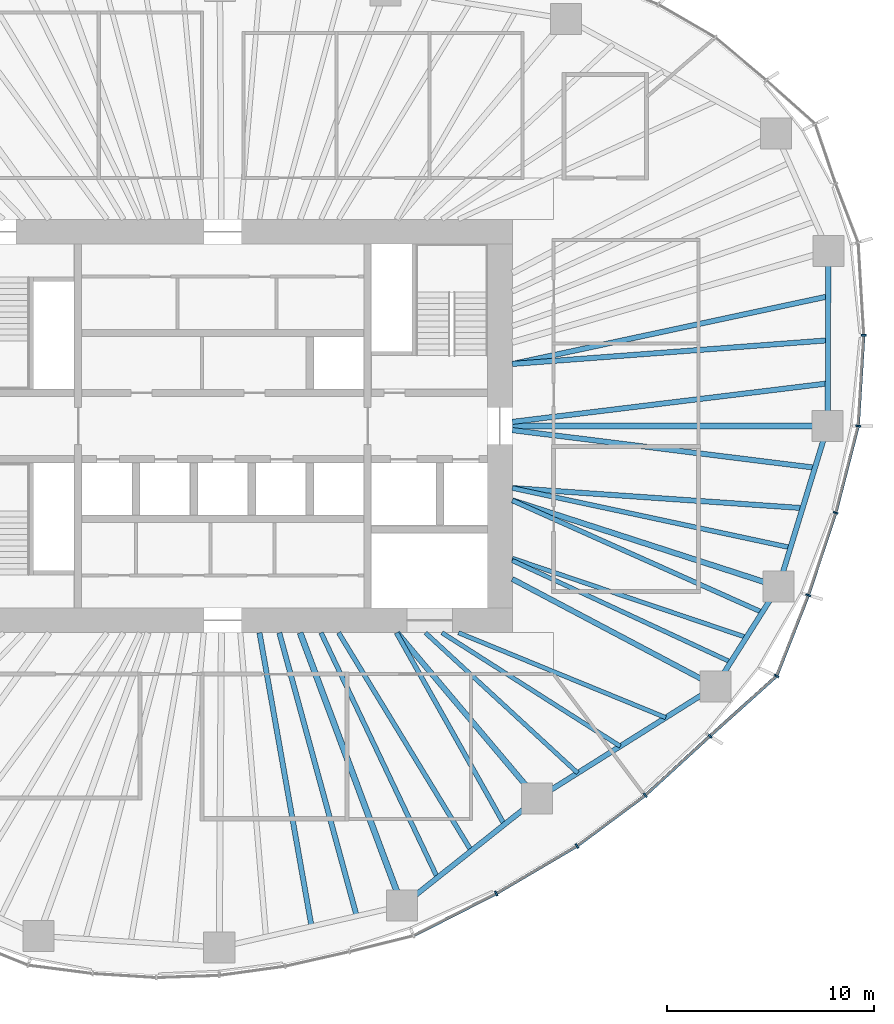
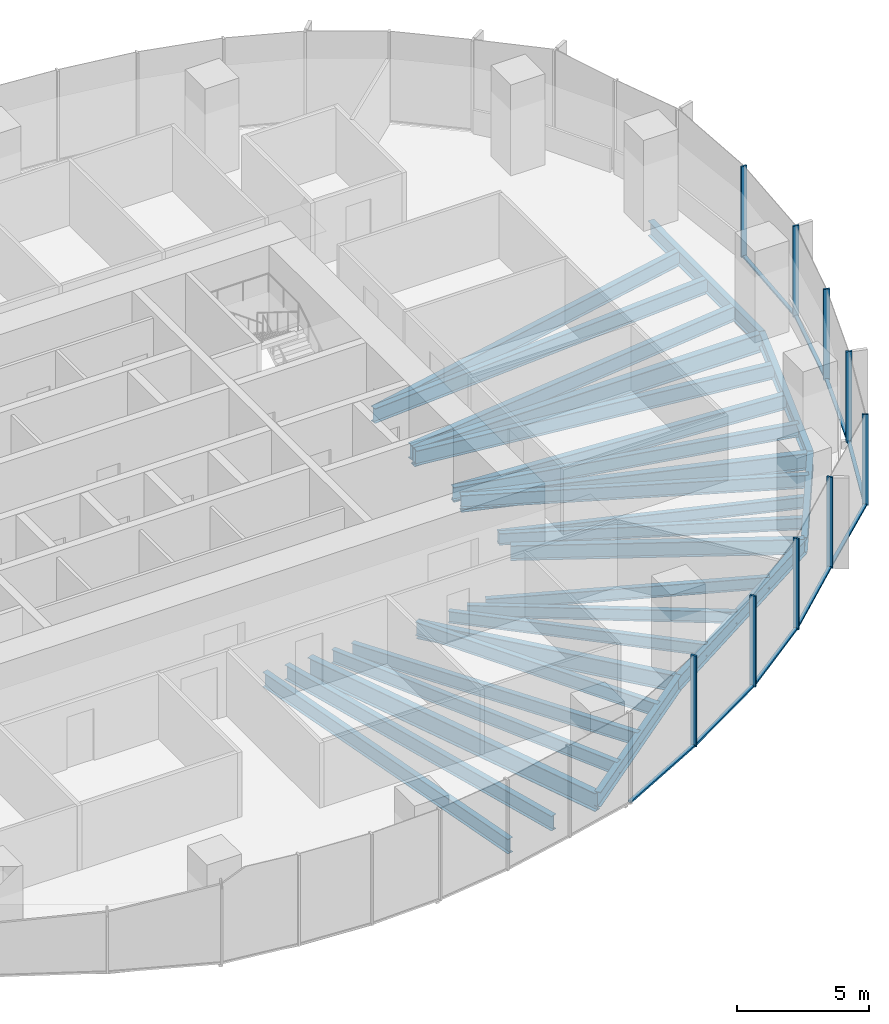
# One storey, part 4 of 18: 27 beams, 18 members, 5 elements without a shape of their own.
"""IFC4 building model written with IfcOpenShell, lengths in metres."""

from ifc_helpers import new_model, si_unit, direction, frame, origin, origin_2d, place, context, subcontext, project, spatial, rectangle, i_section, extrude, material, material_profile, profile_set, type_object, element, aggregate, save


model = new_model("IFC4")

# Units and contexts
model_context = context("Model", 3, precision=1e-05, world=origin(), true_north=direction((0.0, 1.0)))
body_context = subcontext(model_context, "Body", "Model", "MODEL_VIEW")
ifc_project = project(units=[si_unit("LENGTHUNIT", "METRE"), si_unit("AREAUNIT", "SQUARE_METRE"), si_unit("VOLUMEUNIT", "CUBIC_METRE"), si_unit("PLANEANGLEUNIT", "RADIAN"), si_unit("MASSUNIT", "GRAM", prefix="KILO")], contexts=[model_context])

# Site, building, storey
site_placement = place(None, origin())
site = spatial("IfcSite", under=ifc_project, at=site_placement, CompositionType="ELEMENT")
building_placement = place(site_placement, origin())
building = spatial("IfcBuilding", under=site, at=building_placement, Name="Ghaith Harvest Tower", CompositionType="ELEMENT")
storey_placement = place(building_placement, frame((0.0, 0.0, 117.60009765625)))
storey = spatial("IfcBuildingStorey", under=building, at=storey_placement, Name="L24", CompositionType="ELEMENT", Elevation=117.60009765625)

# Curtain wall, members
ifc_material_1 = material(Name="Black anodised aluminium and fritted glass", Category="aluminium")
curtain_wall_type = type_object("IfcCurtainWallType", Name="CW-L CURTAIN WALL", PredefinedType="NOTDEFINED", material=ifc_material_1)
curtain_wall_1_placement = place(storey_placement, origin())
curtain_wall_1 = element("IfcCurtainWall", 1, at=curtain_wall_1_placement, inside=storey, type_object=curtain_wall_type, Name="Curtain wall CW-L bay 01 L24", PredefinedType="NOTDEFINED")
ifc_material_2 = material(Name="Aluminium, black anodised", Category="aluminium")
ifc_material_profile_1 = material_profile(ifc_material_2, rectangle(XDim=0.080078125, YDim=0.239990234375, at=origin_2d()), Name="CW-L MULLION 80x240")
ifc_profile_set_1 = profile_set([ifc_material_profile_1], Name="Aluminium, black anodised")
member_type_1 = type_object("IfcMemberType", Name="CW-L MULLION 80x240", PredefinedType="MULLION", material=ifc_profile_set_1)
member_1_placement = place(storey_placement, frame((30.728759765625, 0.0, 0.0), z_axis=(0.0, 0.0, 1.0), x_axis=(0.155597142981, 0.987820595602, 0.0)))
member_1 = element("IfcMember", 2, at=member_1_placement, type_object=member_type_1, Name="CW-L mullion 1 bay 01 L24", PredefinedType="MULLION", context=body_context, shape_type="SweptSolid", body=[
    extrude(rectangle(XDim=0.080078125, YDim=0.239990234375, at=origin_2d()), origin(), (0.0, 0.0, 1.0), 4.199951171875),
])
member_2_placement = place(storey_placement, frame((30.998779296875, 4.389892578125, 0.0), z_axis=(0.0, 0.0, 1.0), x_axis=(-0.000162467394, 0.999999986802, 0.0)))
member_2 = element("IfcMember", 3, at=member_2_placement, type_object=member_type_1, Name="CW-L mullion 2 bay 01 L24", PredefinedType="MULLION", context=body_context, shape_type="SweptSolid", body=[
    extrude(rectangle(XDim=0.080078125, YDim=0.239990234375, at=origin_2d()), origin(), (0.0, 0.0, 1.0), 4.199951171875),
])

# Curtain wall, member
curtain_wall_2_placement = place(storey_placement, origin())
curtain_wall_2 = element("IfcCurtainWall", 4, at=curtain_wall_2_placement, inside=storey, type_object=curtain_wall_type, Name="Curtain wall CW-L bay 17 L24", PredefinedType="NOTDEFINED")
member_3_placement = place(storey_placement, frame((13.224365234375, -22.614013671875, 0.0), z_axis=(0.0, 0.0, 1.0), x_axis=(0.876898762173, 0.480675109507, 0.0)))
member_3 = element("IfcMember", 5, at=member_3_placement, type_object=member_type_1, Name="CW-L mullion 2 bay 17 L24", PredefinedType="MULLION", context=body_context, shape_type="SweptSolid", body=[
    extrude(rectangle(XDim=0.080078125, YDim=0.239990234375, at=origin_2d()), origin(), (0.0, 0.0, 1.0), 4.199951171875),
])

# Curtain wall, members
curtain_wall_3_placement = place(storey_placement, origin())
curtain_wall_3 = element("IfcCurtainWall", 6, at=curtain_wall_3_placement, inside=storey, type_object=curtain_wall_type, Name="Curtain wall CW-L bay 18 L24", PredefinedType="NOTDEFINED")
member_4_placement = place(storey_placement, frame((17.1318359375, -20.31591796875, 0.0), z_axis=(0.0, 0.0, 1.0), x_axis=(0.834887453241, 0.550420694035, 0.0)))
member_4 = element("IfcMember", 7, at=member_4_placement, type_object=member_type_1, Name="CW-L mullion 1 bay 18 L24", PredefinedType="MULLION", context=body_context, shape_type="SweptSolid", body=[
    extrude(rectangle(XDim=0.080078125, YDim=0.239990234375, at=origin_2d()), origin(), (0.0, 0.0, 1.0), 4.199951171875),
])
member_5_placement = place(storey_placement, frame((20.4296875, -17.86376953125, 0.0), z_axis=(0.0, 0.0, 1.0), x_axis=(0.770306399656, 0.637673937564, 0.0)))
member_5 = element("IfcMember", 8, at=member_5_placement, type_object=member_type_1, Name="CW-L mullion 2 bay 18 L24", PredefinedType="MULLION", context=body_context, shape_type="SweptSolid", body=[
    extrude(rectangle(XDim=0.080078125, YDim=0.239990234375, at=origin_2d()), origin(), (0.0, 0.0, 1.0), 4.199951171875),
])

curtain_wall_4_placement = place(storey_placement, origin())
curtain_wall_4 = element("IfcCurtainWall", 9, at=curtain_wall_4_placement, inside=storey, type_object=curtain_wall_type, Name="Curtain wall CW-L bay 19 L24", PredefinedType="NOTDEFINED")
member_6_placement = place(storey_placement, frame((23.560546875, -14.994140625, 0.0), z_axis=(0.0, 0.0, 1.0), x_axis=(0.740389054945, 0.672178582906, 0.0)))
member_6 = element("IfcMember", 10, at=member_6_placement, type_object=member_type_1, Name="CW-L mullion 1 bay 19 L24", PredefinedType="MULLION", context=body_context, shape_type="SweptSolid", body=[
    extrude(rectangle(XDim=0.080078125, YDim=0.239990234375, at=origin_2d()), origin(), (0.0, 0.0, 1.0), 4.199951171875),
])
member_7_placement = place(storey_placement, frame((26.786376953125, -12.0927734375, 0.0), z_axis=(0.0, 0.0, 1.0), x_axis=(0.572853476908, 0.819657790785, 0.0)))
member_7 = element("IfcMember", 11, at=member_7_placement, type_object=member_type_1, Name="CW-L mullion 2 bay 19 L24", PredefinedType="MULLION", context=body_context, shape_type="SweptSolid", body=[
    extrude(rectangle(XDim=0.080078125, YDim=0.239990234375, at=origin_2d()), origin(), (0.0, 0.0, 1.0), 4.199951171875),
])

curtain_wall_5_placement = place(storey_placement, origin())
curtain_wall_5 = element("IfcCurtainWall", 12, at=curtain_wall_5_placement, inside=storey, type_object=curtain_wall_type, Name="Curtain wall CW-L bay 20 L24", PredefinedType="NOTDEFINED")
member_8_placement = place(storey_placement, frame((28.319580078125, -8.184814453125, 0.0), z_axis=(0.0, 0.0, 1.0), x_axis=(0.34057402484, 0.94021770543, 0.0)))
member_8 = element("IfcMember", 13, at=member_8_placement, type_object=member_type_1, Name="CW-L mullion 1 bay 20 L24", PredefinedType="MULLION", context=body_context, shape_type="SweptSolid", body=[
    extrude(rectangle(XDim=0.080078125, YDim=0.239990234375, at=origin_2d()), origin(), (0.0, 0.0, 1.0), 4.199951171875),
])
member_9_placement = place(storey_placement, frame((29.64599609375, -4.1982421875, 0.0), z_axis=(0.0, 0.0, 1.0), x_axis=(0.282375140161, 0.959304060358, 0.0)))
member_9 = element("IfcMember", 14, at=member_9_placement, type_object=member_type_1, Name="CW-L mullion 2 bay 20 L24", PredefinedType="MULLION", context=body_context, shape_type="SweptSolid", body=[
    extrude(rectangle(XDim=0.080078125, YDim=0.239990234375, at=origin_2d()), origin(), (0.0, 0.0, 1.0), 4.199951171875),
])

# Member
ifc_material_3 = material(Name="Aluminium, black anodised", Category="aluminium")
ifc_material_profile_2 = material_profile(ifc_material_3, rectangle(XDim=0.14990234375, YDim=0.080078125, at=origin_2d()), Name="CW-L TRANSOM 150x80")
ifc_profile_set_2 = profile_set([ifc_material_profile_2], Name="Aluminium, black anodised")
member_type_2 = type_object("IfcMemberType", Name="CW-L TRANSOM 150x80", PredefinedType="USERDEFINED", material=ifc_profile_set_2)
member_10_placement = place(storey_placement, frame((30.731201171875, 0.0400390625, 0.039794921875), z_axis=(0.061403204251, 0.99811304295, 0.0), x_axis=(-0.99811304295, 0.061403204251, 0.0)))
member_10 = element("IfcMember", 15, at=member_10_placement, type_object=member_type_2, Name="CW-L transom 1 bay 01 L24", ObjectType="TRANSOM", PredefinedType="USERDEFINED", context=body_context, shape_type="SweptSolid", body=[
    extrude(rectangle(XDim=0.14990234375, YDim=0.080078125, at=origin_2d()), origin(), (0.0, 0.0, 1.0), 4.31787109375),
])

aggregate(curtain_wall_1, [member_1, member_10, member_2])

member_11_placement = place(storey_placement, frame((9.25244140625, -24.636474609375, 0.039794921875), z_axis=(0.891120044719, 0.453767634258, 0.0), x_axis=(-0.453767634258, 0.891120044719, 0.0)))
member_11 = element("IfcMember", 16, at=member_11_placement, type_object=member_type_2, Name="CW-L transom 1 bay 17 L24", ObjectType="TRANSOM", PredefinedType="USERDEFINED", context=body_context, shape_type="SweptSolid", body=[
    extrude(rectangle(XDim=0.14990234375, YDim=0.080078125, at=origin_2d()), origin(), (0.0, 0.0, 1.0), 4.417236328125),
])

member_12_placement = place(storey_placement, frame((13.259033203125, -22.59375, 0.039794921875), z_axis=(0.86196381091, 0.506969810424, 0.0), x_axis=(-0.506969810424, 0.86196381091, 0.0)))
member_12 = element("IfcMember", 17, at=member_12_placement, type_object=member_type_2, Name="CW-L transom 2 bay 17 L24", ObjectType="TRANSOM", PredefinedType="USERDEFINED", context=body_context, shape_type="SweptSolid", body=[
    extrude(rectangle(XDim=0.14990234375, YDim=0.080078125, at=origin_2d()), origin(), (0.0, 0.0, 1.0), 4.453125),
])

aggregate(curtain_wall_2, [member_11, member_3, member_12])

member_13_placement = place(storey_placement, frame((17.1640625, -20.2919921875, 0.039794921875), z_axis=(0.802465316609, 0.59669876457, 0.0), x_axis=(-0.59669876457, 0.802465316609, 0.0)))
member_13 = element("IfcMember", 18, at=member_13_placement, type_object=member_type_2, Name="CW-L transom 1 bay 18 L24", ObjectType="TRANSOM", PredefinedType="USERDEFINED", context=body_context, shape_type="SweptSolid", body=[
    extrude(rectangle(XDim=0.14990234375, YDim=0.080078125, at=origin_2d()), origin(), (0.0, 0.0, 1.0), 4.029296875),
])

member_14_placement = place(storey_placement, frame((20.459228515625, -17.836669921875, 0.039794921875), z_axis=(0.737197916434, 0.675676869521, 0.0), x_axis=(-0.675676869521, 0.737197916434, 0.0)))
member_14 = element("IfcMember", 19, at=member_14_placement, type_object=member_type_2, Name="CW-L transom 2 bay 18 L24", ObjectType="TRANSOM", PredefinedType="USERDEFINED", context=body_context, shape_type="SweptSolid", body=[
    extrude(rectangle(XDim=0.14990234375, YDim=0.080078125, at=origin_2d()), origin(), (0.0, 0.0, 1.0), 4.166748046875),
])

aggregate(curtain_wall_3, [member_4, member_13, member_5, member_14])

member_15_placement = place(storey_placement, frame((23.59033203125, -14.967529296875, 0.039794921875), z_axis=(0.74346800111, 0.668771509056, 0.0), x_axis=(-0.668771509056, 0.74346800111, 0.0)))
member_15 = element("IfcMember", 20, at=member_15_placement, type_object=member_type_2, Name="CW-L transom 1 bay 19 L24", ObjectType="TRANSOM", PredefinedType="USERDEFINED", context=body_context, shape_type="SweptSolid", body=[
    extrude(rectangle(XDim=0.14990234375, YDim=0.080078125, at=origin_2d()), origin(), (0.0, 0.0, 1.0), 4.2587890625),
])

member_16_placement = place(storey_placement, frame((26.801025390625, -12.055419921875, 0.039794921875), z_axis=(0.365228588652, 0.930917868575, 0.0), x_axis=(-0.930917868575, 0.365228588652, 0.0)))
member_16 = element("IfcMember", 21, at=member_16_placement, type_object=member_type_2, Name="CW-L transom 2 bay 19 L24", ObjectType="TRANSOM", PredefinedType="USERDEFINED", context=body_context, shape_type="SweptSolid", body=[
    extrude(rectangle(XDim=0.14990234375, YDim=0.080078125, at=origin_2d()), origin(), (0.0, 0.0, 1.0), 4.11767578125),
])

aggregate(curtain_wall_4, [member_6, member_15, member_7, member_16])

member_17_placement = place(storey_placement, frame((28.33203125, -8.14697265625, 0.039794921875), z_axis=(0.315712391444, 0.948854934059, 0.0), x_axis=(-0.948854934059, 0.315712391444, 0.0)))
member_17 = element("IfcMember", 22, at=member_17_placement, type_object=member_type_2, Name="CW-L transom 1 bay 20 L24", ObjectType="TRANSOM", PredefinedType="USERDEFINED", context=body_context, shape_type="SweptSolid", body=[
    extrude(rectangle(XDim=0.14990234375, YDim=0.080078125, at=origin_2d()), origin(), (0.0, 0.0, 1.0), 4.12158203125),
])

member_18_placement = place(storey_placement, frame((29.656005859375, -4.159423828125, 0.039794921875), z_axis=(0.249737470584, 0.968313583395, 0.0), x_axis=(-0.968313583395, 0.249737470584, 0.0)))
member_18 = element("IfcMember", 23, at=member_18_placement, type_object=member_type_2, Name="CW-L transom 2 bay 20 L24", ObjectType="TRANSOM", PredefinedType="USERDEFINED", context=body_context, shape_type="SweptSolid", body=[
    extrude(rectangle(XDim=0.14990234375, YDim=0.080078125, at=origin_2d()), origin(), (0.0, 0.0, 1.0), 4.25537109375),
])

aggregate(curtain_wall_5, [member_8, member_17, member_9, member_18])

# Beams
ifc_material_4 = material(Name="Steel ASTM A992 Grade 50", Category="steel")
ifc_material_profile_3 = material_profile(ifc_material_4, i_section(OverallWidth=0.25390625, OverallDepth=0.68408203125, WebThickness=0.012451171875, FlangeThickness=0.018798828125, at=origin_2d()), Name="W690X140")
ifc_profile_set_3 = profile_set([ifc_material_profile_3], Name="Steel ASTM A992 Grade 50")
beam_type_1 = type_object("IfcBeamType", Name="E690-140 W690X140", PredefinedType="SPANDREL", material=ifc_profile_set_3)
beam_1_placement = place(storey_placement, frame((29.259033203125, 0.0, -0.51220703125), z_axis=(0.003172847394, 0.999994966507, 0.0), x_axis=(-0.999994966507, 0.003172847394, 0.0)))
element("IfcBeam", 24, at=beam_1_placement, inside=storey, type_object=beam_type_1, Name="Edge beam E01 L24", PredefinedType="SPANDREL", context=body_context, shape_type="SweptSolid", body=[
    extrude(i_section(OverallWidth=0.25390625, OverallDepth=0.68408203125, WebThickness=0.012451171875, FlangeThickness=0.018798828125, at=origin_2d()), origin(), (0.0, 0.0, 1.0), 8.464111328125),
])
beam_2_placement = place(storey_placement, frame((8.674072265625, -23.202880859375, -0.51220703125), z_axis=(0.783159540917, 0.621820821033, 0.0), x_axis=(-0.621820821033, 0.783159540917, 0.0)))
element("IfcBeam", 25, at=beam_2_placement, inside=storey, type_object=beam_type_1, Name="Edge beam E17 L24", PredefinedType="SPANDREL", context=body_context, shape_type="SweptSolid", body=[
    extrude(i_section(OverallWidth=0.25390625, OverallDepth=0.68408203125, WebThickness=0.012451171875, FlangeThickness=0.018798828125, at=origin_2d()), origin(), (0.0, 0.0, 1.0), 8.330322265625),
])
beam_3_placement = place(storey_placement, frame((15.197998046875, -18.02294921875, -0.51220703125), z_axis=(0.846385185363, 0.532571232793, 0.0), x_axis=(-0.532571232793, 0.846385185363, 0.0)))
element("IfcBeam", 26, at=beam_3_placement, inside=storey, type_object=beam_type_1, Name="Edge beam E18 L24", PredefinedType="SPANDREL", context=body_context, shape_type="SweptSolid", body=[
    extrude(i_section(OverallWidth=0.25390625, OverallDepth=0.68408203125, WebThickness=0.012451171875, FlangeThickness=0.018798828125, at=origin_2d()), origin(), (0.0, 0.0, 1.0), 10.19384765625),
])
beam_4_placement = place(storey_placement, frame((23.825927734375, -12.593994140625, -0.51220703125), z_axis=(0.534499624093, 0.845168712059, 0.0), x_axis=(-0.845168712059, 0.534499624093, 0.0)))
element("IfcBeam", 27, at=beam_4_placement, inside=storey, type_object=beam_type_1, Name="Edge beam E19 L24", PredefinedType="SPANDREL", context=body_context, shape_type="SweptSolid", body=[
    extrude(i_section(OverallWidth=0.25390625, OverallDepth=0.68408203125, WebThickness=0.012451171875, FlangeThickness=0.018798828125, at=origin_2d()), origin(), (0.0, 0.0, 1.0), 5.7099609375),
])
beam_5_placement = place(storey_placement, frame((26.8779296875, -7.76806640625, -0.51220703125), z_axis=(0.293065809375, 0.956092271371, 0.0), x_axis=(-0.956092271371, 0.293065809375, 0.0)))
element("IfcBeam", 28, at=beam_5_placement, inside=storey, type_object=beam_type_1, Name="Edge beam E20 L24", PredefinedType="SPANDREL", context=body_context, shape_type="SweptSolid", body=[
    extrude(i_section(OverallWidth=0.25390625, OverallDepth=0.68408203125, WebThickness=0.012451171875, FlangeThickness=0.018798828125, at=origin_2d()), origin(), (0.0, 0.0, 1.0), 8.124755859375),
])
ifc_material_5 = material(Name="Steel ASTM A992 Grade 50", Category="steel")
ifc_material_profile_4 = material_profile(ifc_material_5, i_section(OverallWidth=0.256103515625, OverallDepth=0.693115234375, WebThickness=0.014404296875, FlangeThickness=0.023681640625, at=origin_2d()), Name="W690X170")
ifc_profile_set_4 = profile_set([ifc_material_profile_4], Name="Steel ASTM A992 Grade 50")
beam_type_2 = type_object("IfcBeamType", Name="G690-170 W690X170", PredefinedType="BEAM", material=ifc_profile_set_4)
beam_6_placement = place(storey_placement, frame((14.0, -7.39990234375, -0.5166015625), z_axis=(0.884080549082, -0.467334551189, 0.0), x_axis=(0.467334551189, 0.884080549082, 0.0)))
element("IfcBeam", 29, at=beam_6_placement, inside=storey, type_object=beam_type_2, Name="Radial girder G19 L24", PredefinedType="BEAM", context=body_context, shape_type="SweptSolid", body=[
    extrude(i_section(OverallWidth=0.256103515625, OverallDepth=0.693115234375, WebThickness=0.014404296875, FlangeThickness=0.023681640625, at=origin_2d()), origin(), (0.0, 0.0, 1.0), 11.1142578125),
])
ifc_material_6 = material(Name="Steel ASTM A992 Grade 50", Category="steel")
ifc_material_profile_5 = material_profile(ifc_material_6, i_section(OverallWidth=0.26806640625, OverallDepth=0.77001953125, WebThickness=0.015625, FlangeThickness=0.025390625, at=origin_2d()), Name="W760X196")
ifc_profile_set_5 = profile_set([ifc_material_profile_5], Name="Steel ASTM A992 Grade 50")
beam_type_3 = type_object("IfcBeamType", Name="G760-196 W760X196", PredefinedType="BEAM", material=ifc_profile_set_5)
beam_7_placement = place(storey_placement, frame((8.4326171875, -10.0, -0.55517578125), z_axis=(0.644649240595, -0.764478486682, 0.0), x_axis=(0.764478486682, 0.644649240595, 0.0)))
element("IfcBeam", 30, at=beam_7_placement, inside=storey, type_object=beam_type_3, Name="Radial girder G18 L24", PredefinedType="BEAM", context=body_context, shape_type="SweptSolid", body=[
    extrude(i_section(OverallWidth=0.26806640625, OverallDepth=0.77001953125, WebThickness=0.015625, FlangeThickness=0.025390625, at=origin_2d()), origin(), (0.0, 0.0, 1.0), 10.49462890625),
])
beam_8_placement = place(storey_placement, frame((14.0, -3.60009765625, -0.55517578125), z_axis=(0.951410331565, -0.307925934262, 0.0), x_axis=(0.307925934262, 0.951410331565, 0.0)))
element("IfcBeam", 31, at=beam_8_placement, inside=storey, type_object=beam_type_3, Name="Radial girder G20 L24", PredefinedType="BEAM", context=body_context, shape_type="SweptSolid", body=[
    extrude(i_section(OverallWidth=0.26806640625, OverallDepth=0.77001953125, WebThickness=0.015625, FlangeThickness=0.025390625, at=origin_2d()), origin(), (0.0, 0.0, 1.0), 13.53564453125),
])
ifc_material_7 = material(Name="Steel ASTM A992 Grade 50", Category="steel")
ifc_material_profile_6 = material_profile(ifc_material_7, i_section(OverallWidth=0.2939453125, OverallDepth=0.85107421875, WebThickness=0.01611328125, FlangeThickness=0.02685546875, at=origin_2d()), Name="W840X226")
ifc_profile_set_6 = profile_set([ifc_material_profile_6], Name="Steel ASTM A992 Grade 50")
beam_type_4 = type_object("IfcBeamType", Name="G840-226 W840X226", PredefinedType="BEAM", material=ifc_profile_set_6)
beam_9_placement = place(storey_placement, frame((14.0, 0.0, -0.595703125), z_axis=(1.0, 0.0, 0.0), x_axis=(0.0, 1.0, 0.0)))
element("IfcBeam", 32, at=beam_9_placement, inside=storey, type_object=beam_type_4, Name="Radial girder G01 L24", PredefinedType="BEAM", context=body_context, shape_type="SweptSolid", body=[
    extrude(i_section(OverallWidth=0.2939453125, OverallDepth=0.85107421875, WebThickness=0.01611328125, FlangeThickness=0.02685546875, at=origin_2d()), origin(), (0.0, 0.0, 1.0), 15.259033203125),
])
beam_10_placement = place(storey_placement, frame((3.73828125, -10.0, -0.595703125), z_axis=(0.350172283717, -0.936685310932, 0.0), x_axis=(0.936685310932, 0.350172283717, 0.0)))
element("IfcBeam", 33, at=beam_10_placement, inside=storey, type_object=beam_type_4, Name="Radial girder G17 L24", PredefinedType="BEAM", context=body_context, shape_type="SweptSolid", body=[
    extrude(i_section(OverallWidth=0.2939453125, OverallDepth=0.85107421875, WebThickness=0.01611328125, FlangeThickness=0.02685546875, at=origin_2d()), origin(), (0.0, 0.0, 1.0), 14.09521484375),
])
ifc_material_8 = material(Name="Steel ASTM A992 Grade 50", Category="steel")
ifc_material_profile_7 = material_profile(ifc_material_8, i_section(OverallWidth=0.2109375, OverallDepth=0.5390625, WebThickness=0.01171875, FlangeThickness=0.018798828125, at=origin_2d()), Name="W530X109")
ifc_profile_set_7 = profile_set([ifc_material_profile_7], Name="Steel ASTM A992 Grade 50")
beam_type_5 = type_object("IfcBeamType", Name="J530-109 W530X109", PredefinedType="JOIST", material=ifc_profile_set_7)
beam_11_placement = place(storey_placement, frame((9.800048828125, -10.0, -0.439697265625), z_axis=(0.735441512033, -0.677588210035, 0.0), x_axis=(0.677588210035, 0.735441512033, 0.0)))
element("IfcBeam", 34, at=beam_11_placement, inside=storey, type_object=beam_type_5, Name="Joist J18.1 L24", PredefinedType="JOIST", context=body_context, shape_type="SweptSolid", body=[
    extrude(i_section(OverallWidth=0.2109375, OverallDepth=0.5390625, WebThickness=0.01171875, FlangeThickness=0.018798828125, at=origin_2d()), origin(), (0.0, 0.0, 1.0), 10.01416015625),
])
beam_12_placement = place(storey_placement, frame((10.60009765625, -10.0, -0.439697265625), z_axis=(0.843584777848, -0.536996017288, 0.0), x_axis=(0.536996017288, 0.843584777848, 0.0)))
element("IfcBeam", 35, at=beam_12_placement, inside=storey, type_object=beam_type_5, Name="Joist J18.2 L24", PredefinedType="JOIST", context=body_context, shape_type="SweptSolid", body=[
    extrude(i_section(OverallWidth=0.2109375, OverallDepth=0.5390625, WebThickness=0.01171875, FlangeThickness=0.018798828125, at=origin_2d()), origin(), (0.0, 0.0, 1.0), 10.22314453125),
])
beam_13_placement = place(storey_placement, frame((11.39990234375, -10.0, -0.439697265625), z_axis=(0.925406878607, -0.378975077053, 0.0), x_axis=(0.378975077053, 0.925406878607, 0.0)))
element("IfcBeam", 36, at=beam_13_placement, inside=storey, type_object=beam_type_5, Name="Joist J18.3 L24", PredefinedType="JOIST", context=body_context, shape_type="SweptSolid", body=[
    extrude(i_section(OverallWidth=0.2109375, OverallDepth=0.5390625, WebThickness=0.01171875, FlangeThickness=0.018798828125, at=origin_2d()), origin(), (0.0, 0.0, 1.0), 10.83251953125),
])
beam_14_placement = place(storey_placement, frame((14.0, -6.506103515625, -0.439697265625), z_axis=(0.906863188232, -0.421425150922, 0.0), x_axis=(0.421425150922, 0.906863188232, 0.0)))
element("IfcBeam", 37, at=beam_14_placement, inside=storey, type_object=beam_type_5, Name="Joist J19.1 L24", PredefinedType="JOIST", context=body_context, shape_type="SweptSolid", body=[
    extrude(i_section(OverallWidth=0.2109375, OverallDepth=0.5390625, WebThickness=0.01171875, FlangeThickness=0.018798828125, at=origin_2d()), origin(), (0.0, 0.0, 1.0), 11.6552734375),
])
beam_15_placement = place(storey_placement, frame((14.0, -6.39990234375, -0.439697265625), z_axis=(0.947372072272, -0.320134591508, 0.0), x_axis=(0.320134591508, 0.947372072272, 0.0)))
element("IfcBeam", 38, at=beam_15_placement, inside=storey, type_object=beam_type_5, Name="Joist J19.2 L24", PredefinedType="JOIST", context=body_context, shape_type="SweptSolid", body=[
    extrude(i_section(OverallWidth=0.2109375, OverallDepth=0.5390625, WebThickness=0.01171875, FlangeThickness=0.018798828125, at=origin_2d()), origin(), (0.0, 0.0, 1.0), 11.95263671875),
])
ifc_material_9 = material(Name="Steel ASTM A992 Grade 50", Category="steel")
ifc_material_profile_8 = material_profile(ifc_material_9, i_section(OverallWidth=0.22900390625, OverallDepth=0.612060546875, WebThickness=0.011962890625, FlangeThickness=0.01953125, at=origin_2d()), Name="W610X125")
ifc_profile_set_8 = profile_set([ifc_material_profile_8], Name="Steel ASTM A992 Grade 50")
beam_type_6 = type_object("IfcBeamType", Name="J610-125 W610X125", PredefinedType="JOIST", material=ifc_profile_set_8)
beam_16_placement = place(storey_placement, frame((4.75, -10.0, -0.47607421875), z_axis=(0.429062888327, -0.903274619294, 0.0), x_axis=(0.903274619294, 0.429062888327, 0.0)))
element("IfcBeam", 39, at=beam_16_placement, inside=storey, type_object=beam_type_6, Name="Joist J17.1 L24", PredefinedType="JOIST", context=body_context, shape_type="SweptSolid", body=[
    extrude(i_section(OverallWidth=0.22900390625, OverallDepth=0.612060546875, WebThickness=0.011962890625, FlangeThickness=0.01953125, at=origin_2d()), origin(), (0.0, 0.0, 1.0), 13.118408203125),
])
beam_17_placement = place(storey_placement, frame((5.60009765625, -10.0, -0.47607421875), z_axis=(0.51969412955, -0.854352393167, 0.0), x_axis=(0.854352393167, 0.51969412955, 0.0)))
element("IfcBeam", 40, at=beam_17_placement, inside=storey, type_object=beam_type_6, Name="Joist J17.2 L24", PredefinedType="JOIST", context=body_context, shape_type="SweptSolid", body=[
    extrude(i_section(OverallWidth=0.22900390625, OverallDepth=0.612060546875, WebThickness=0.011962890625, FlangeThickness=0.01953125, at=origin_2d()), origin(), (0.0, 0.0, 1.0), 12.34716796875),
])
beam_18_placement = place(storey_placement, frame((8.39990234375, -10.0, -0.47607421875), z_axis=(0.489936713337, -0.871758003648, 0.0), x_axis=(0.871758003648, 0.489936713337, 0.0)))
element("IfcBeam", 41, at=beam_18_placement, inside=storey, type_object=beam_type_6, Name="Joist J17.3 L24", PredefinedType="JOIST", context=body_context, shape_type="SweptSolid", body=[
    extrude(i_section(OverallWidth=0.22900390625, OverallDepth=0.612060546875, WebThickness=0.011962890625, FlangeThickness=0.01953125, at=origin_2d()), origin(), (0.0, 0.0, 1.0), 10.64501953125),
])
beam_19_placement = place(storey_placement, frame((14.0, -3.60009765625, -0.47607421875), z_axis=(0.912738327266, -0.408544668231, 0.0), x_axis=(0.408544668231, 0.912738327266, 0.0)))
element("IfcBeam", 42, at=beam_19_placement, inside=storey, type_object=beam_type_6, Name="Joist J19.3 L24", PredefinedType="JOIST", context=body_context, shape_type="SweptSolid", body=[
    extrude(i_section(OverallWidth=0.22900390625, OverallDepth=0.612060546875, WebThickness=0.011962890625, FlangeThickness=0.01953125, at=origin_2d()), origin(), (0.0, 0.0, 1.0), 13.247314453125),
])
beam_20_placement = place(storey_placement, frame((14.0, -3.0, -0.47607421875), z_axis=(0.97783433664, -0.209380061343, 0.0), x_axis=(0.209380061343, 0.97783433664, 0.0)))
element("IfcBeam", 43, at=beam_20_placement, inside=storey, type_object=beam_type_6, Name="Joist J20.1 L24", PredefinedType="JOIST", context=body_context, shape_type="SweptSolid", body=[
    extrude(i_section(OverallWidth=0.22900390625, OverallDepth=0.612060546875, WebThickness=0.011962890625, FlangeThickness=0.01953125, at=origin_2d()), origin(), (0.0, 0.0, 1.0), 13.76123046875),
])
ifc_material_10 = material(Name="Steel ASTM A992 Grade 50", Category="steel")
ifc_material_profile_9 = material_profile(ifc_material_10, i_section(OverallWidth=0.25390625, OverallDepth=0.68408203125, WebThickness=0.012451171875, FlangeThickness=0.018798828125, at=origin_2d()), Name="W690X140")
ifc_profile_set_9 = profile_set([ifc_material_profile_9], Name="Steel ASTM A992 Grade 50")
beam_type_7 = type_object("IfcBeamType", Name="J690-140 W690X140", PredefinedType="JOIST", material=ifc_profile_set_9)
beam_21_placement = place(storey_placement, frame((14.0, 0.199951171875, -0.51220703125), z_axis=(0.992642759881, 0.121079937462, 0.0), x_axis=(-0.121079937462, 0.992642759881, 0.0)))
element("IfcBeam", 44, at=beam_21_placement, inside=storey, type_object=beam_type_7, Name="Joist J01.1 L24", PredefinedType="JOIST", context=body_context, shape_type="SweptSolid", body=[
    extrude(i_section(OverallWidth=0.25390625, OverallDepth=0.68408203125, WebThickness=0.012451171875, FlangeThickness=0.018798828125, at=origin_2d()), origin(), (0.0, 0.0, 1.0), 15.378662109375),
])
beam_22_placement = place(storey_placement, frame((14.0, 3.0, -0.51220703125), z_axis=(0.997200052902, 0.074780040735, 0.0), x_axis=(-0.074780040735, 0.997200052902, 0.0)))
element("IfcBeam", 45, at=beam_22_placement, inside=storey, type_object=beam_type_7, Name="Joist J01.2 L24", PredefinedType="JOIST", context=body_context, shape_type="SweptSolid", body=[
    extrude(i_section(OverallWidth=0.25390625, OverallDepth=0.68408203125, WebThickness=0.012451171875, FlangeThickness=0.018798828125, at=origin_2d()), origin(), (0.0, 0.0, 1.0), 15.315185546875),
])
beam_23_placement = place(storey_placement, frame((14.0, 3.0, -0.51220703125), z_axis=(0.977833271545, 0.209385035425, 0.0), x_axis=(-0.209385035425, 0.977833271545, 0.0)))
element("IfcBeam", 46, at=beam_23_placement, inside=storey, type_object=beam_type_7, Name="Joist J01.3 L24", PredefinedType="JOIST", context=body_context, shape_type="SweptSolid", body=[
    extrude(i_section(OverallWidth=0.25390625, OverallDepth=0.68408203125, WebThickness=0.012451171875, FlangeThickness=0.018798828125, at=origin_2d()), origin(), (0.0, 0.0, 1.0), 15.62548828125),
])
beam_24_placement = place(storey_placement, frame((1.772705078125, -10.0, -0.51220703125), z_axis=(0.174552818486, -0.98464781194, 0.0), x_axis=(0.98464781194, 0.174552818486, 0.0)))
element("IfcBeam", 47, at=beam_24_placement, inside=storey, type_object=beam_type_7, Name="Joist J16.2 L24", PredefinedType="JOIST", context=body_context, shape_type="SweptSolid", body=[
    extrude(i_section(OverallWidth=0.25390625, OverallDepth=0.68408203125, WebThickness=0.012451171875, FlangeThickness=0.018798828125, at=origin_2d()), origin(), (0.0, 0.0, 1.0), 14.42578125),
])
beam_25_placement = place(storey_placement, frame((2.73095703125, -10.0, -0.51220703125), z_axis=(0.263463446032, -0.964669379946, 0.0), x_axis=(0.964669379946, 0.263463446032, 0.0)))
element("IfcBeam", 48, at=beam_25_placement, inside=storey, type_object=beam_type_7, Name="Joist J16.3 L24", PredefinedType="JOIST", context=body_context, shape_type="SweptSolid", body=[
    extrude(i_section(OverallWidth=0.25390625, OverallDepth=0.68408203125, WebThickness=0.012451171875, FlangeThickness=0.018798828125, at=origin_2d()), origin(), (0.0, 0.0, 1.0), 14.20751953125),
])
beam_26_placement = place(storey_placement, frame((14.0, -3.0, -0.51220703125), z_axis=(0.997616678907, -0.068999724397, 0.0), x_axis=(0.068999724397, 0.997616678907, 0.0)))
element("IfcBeam", 49, at=beam_26_placement, inside=storey, type_object=beam_type_7, Name="Joist J20.2 L24", PredefinedType="JOIST", context=body_context, shape_type="SweptSolid", body=[
    extrude(i_section(OverallWidth=0.25390625, OverallDepth=0.68408203125, WebThickness=0.012451171875, FlangeThickness=0.018798828125, at=origin_2d()), origin(), (0.0, 0.0, 1.0), 14.0751953125),
])
beam_27_placement = place(storey_placement, frame((14.0, -0.199951171875, -0.51220703125), z_axis=(0.992379127816, -0.123222021874, 0.0), x_axis=(0.123222021874, 0.992379127816, 0.0)))
element("IfcBeam", 50, at=beam_27_placement, inside=storey, type_object=beam_type_7, Name="Joist J20.3 L24", PredefinedType="JOIST", context=body_context, shape_type="SweptSolid", body=[
    extrude(i_section(OverallWidth=0.25390625, OverallDepth=0.68408203125, WebThickness=0.012451171875, FlangeThickness=0.018798828125, at=origin_2d()), origin(), (0.0, 0.0, 1.0), 14.7529296875),
])

save(model, "model.ifc")
